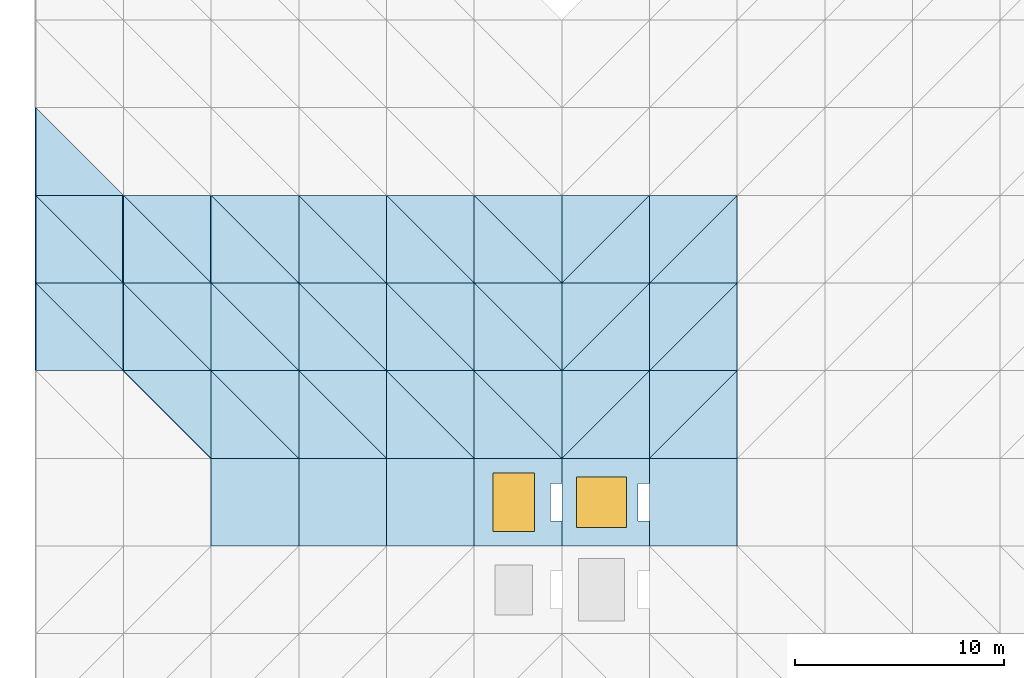
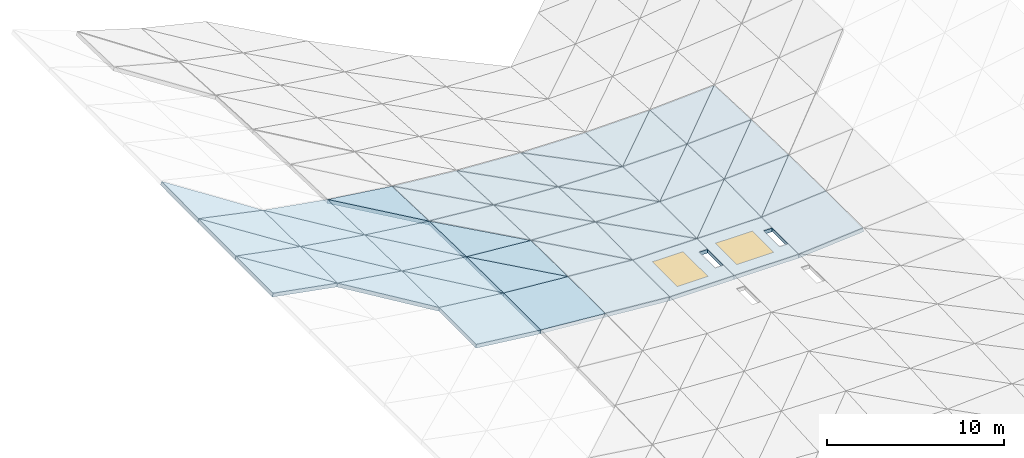
# One storey, part 8 of 31: 52 slabs, 2 windows, 2 openings.
"""IFC4 building model written with IfcOpenShell, lengths in metres."""

import ifcopenshell
import ifcopenshell.guid

model = None  # the IFC model being written
_history = None  # IfcOwnerHistory: only IFC2X3 demands one
_inside = {}  # id of a spatial element -> (the spatial element, [elements in it])
_under = {}  # id of a project, library or spatial element -> (it, [spatial elements below it])
_declared = {}  # id of a project -> (the project, [libraries it declares])
_typed = {}  # id of a type object -> (the type object, [elements of that type])
_made_of = {}  # id of a material, layer set ... -> (it, [elements and type objects made of it])


def new_model(schema):
    """Start an empty IFC model of exactly this schema.

    Asked for "IFC4X3", IfcOpenShell would pick the latest addendum, in which some entities
    have other attributes; the version numbers below select the first issue.
    IFC2X3 requires an IfcOwnerHistory on every rooted entity: one is made here for all.
    """
    global model, _history
    if schema == "IFC4X3":
        model = ifcopenshell.file(schema_version=(4, 3, 0, 0))
    else:
        model = ifcopenshell.file(schema=schema)
    _inside.clear()
    _under.clear()
    _declared.clear()
    _typed.clear()
    _made_of.clear()
    _history = None
    if model.schema == "IFC2X3":
        org = make("IfcOrganization", Name="unknown")
        user = make(
            "IfcPersonAndOrganization",
            ThePerson=make("IfcPerson", FamilyName="unknown"),
            TheOrganization=org,
        )
        app = make(
            "IfcApplication",
            ApplicationDeveloper=org,
            Version="unknown",
            ApplicationFullName="unknown",
            ApplicationIdentifier="unknown",
        )
        _history = make(
            "IfcOwnerHistory",
            OwningUser=user,
            OwningApplication=app,
            ChangeAction="ADDED",
            CreationDate=0,
        )
    return model


def make(cls, **values):
    """One entity of the class cls with the attributes given. An attribute that is None is left unset."""
    return model.create_entity(
        cls, **{name: value for name, value in values.items() if value is not None}
    )


def rooted(cls, **values):
    """An entity with a GlobalId (a new one), such as an element, a storey or a relation."""
    return make(cls, GlobalId=ifcopenshell.guid.new(), OwnerHistory=_history, **values)


def si_unit(unit_type, name, prefix=None):
    """IfcSIUnit, for example si_unit("LENGTHUNIT", "METRE", prefix="MILLI")."""
    return make("IfcSIUnit", UnitType=unit_type, Prefix=prefix, Name=name)


def assignment(units):
    """IfcUnitAssignment: the units of a project."""
    return None if units is None else make("IfcUnitAssignment", Units=units)


def point(xyz):
    """IfcCartesianPoint."""
    return None if xyz is None else make("IfcCartesianPoint", Coordinates=xyz)


def direction(xyz):
    """IfcDirection."""
    return None if xyz is None else make("IfcDirection", DirectionRatios=xyz)


def frame(location, z_axis=None, x_axis=None):
    """IfcAxis2Placement3D, a coordinate frame: its origin and axes. An axis left out is left unset."""
    return make(
        "IfcAxis2Placement3D",
        Location=point(location),
        Axis=direction(z_axis),
        RefDirection=direction(x_axis),
    )


def frame_2d(location, x_axis=None):
    """IfcAxis2Placement2D, a coordinate frame in the plane: its origin and x axis."""
    return make(
        "IfcAxis2Placement2D", Location=point(location), RefDirection=direction(x_axis)
    )


def origin():
    """The frame at (0, 0, 0) with its axes left unset."""
    return frame((0.0, 0.0, 0.0))


def origin_2d():
    """The frame at (0, 0) in the plane with its x axis left unset."""
    return frame_2d((0.0, 0.0))


def place(relative_to, where):
    """IfcLocalPlacement: puts the frame where relative to a parent placement (None: the world)."""
    return make(
        "IfcLocalPlacement", PlacementRelTo=relative_to, RelativePlacement=where
    )


def context(
    kind, dimensions, precision=None, world=None, true_north=None, identifier=None
):
    """IfcGeometricRepresentationContext, for example the 3D "Model" context."""
    return make(
        "IfcGeometricRepresentationContext",
        ContextIdentifier=identifier,
        ContextType=kind,
        CoordinateSpaceDimension=dimensions,
        Precision=precision,
        WorldCoordinateSystem=world,
        TrueNorth=true_north,
    )


def subcontext(parent, identifier, kind, view, scale=None):
    """IfcGeometricRepresentationSubContext, for example "Body" below "Model"."""
    return make(
        "IfcGeometricRepresentationSubContext",
        ContextIdentifier=identifier,
        ContextType=kind,
        ParentContext=parent,
        TargetScale=scale,
        TargetView=view,
    )


def project(units=None, contexts=None):
    """IfcProject with its units and contexts."""
    return rooted(
        "IfcProject",
        Name="project",
        RepresentationContexts=contexts,
        UnitsInContext=assignment(units),
    )


def spatial(cls, under=None, at=None, **own):
    """A site, building, storey or space (cls), placed at a placement, below another one or the project."""
    s = rooted(cls, ObjectPlacement=at, **own)
    if under is not None:
        _under.setdefault(under.id(), (under, []))[1].append(s)
    return s


def polyline(points):
    """IfcPolyline through the points."""
    return make("IfcPolyline", Points=[point(p) for p in points])


def profile(cls, at=None, kind="AREA", **sizes):
    """A parametric profile (cls). Its sizes go by their IFC names, for example OverallWidth=200.0."""
    return make(cls, ProfileType=kind, Position=at, **sizes)


def rectangle(**sizes):
    """IfcRectangleProfileDef."""
    return profile("IfcRectangleProfileDef", **sizes)


def outline(outer, holes=None, kind="AREA"):
    """IfcArbitraryClosedProfileDef: a profile drawn as a closed curve; with holes, ...WithVoids."""
    if holes is None:
        return make("IfcArbitraryClosedProfileDef", ProfileType=kind, OuterCurve=outer)
    return make(
        "IfcArbitraryProfileDefWithVoids",
        ProfileType=kind,
        OuterCurve=outer,
        InnerCurves=holes,
    )


def extrude(swept, where, along, depth):
    """IfcExtrudedAreaSolid: the profile swept, set in the frame where, extruded along a direction by depth."""
    return make(
        "IfcExtrudedAreaSolid",
        SweptArea=swept,
        Position=where,
        ExtrudedDirection=direction(along),
        Depth=depth,
    )


def shape(context_of_items, identifier, shape_type, items):
    """IfcShapeRepresentation: the items that make up one representation, for example the "Body"."""
    return make(
        "IfcShapeRepresentation",
        ContextOfItems=context_of_items,
        RepresentationIdentifier=identifier,
        RepresentationType=shape_type,
        Items=items,
    )


def material(Name=None, Category=None):
    """IfcMaterial."""
    return make("IfcMaterial", Name=Name, Category=Category)


def layer(
    of_material, thickness, ventilated=None, Name=None, Category=None, Priority=None
):
    """IfcMaterialLayer: one layer of a wall or slab, of a material (None: an air gap)."""
    return make(
        "IfcMaterialLayer",
        Material=of_material,
        LayerThickness=thickness,
        IsVentilated=ventilated,
        Name=Name,
        Category=Category,
        Priority=Priority,
    )


def layer_set(layers, Name=None):
    """IfcMaterialLayerSet."""
    return make("IfcMaterialLayerSet", MaterialLayers=layers, LayerSetName=Name)


def made_of(thing, what):
    """Note that an element or type object is made of a material, layer set ...; save() writes the relation."""
    if what is not None:
        _made_of.setdefault(what.id(), (what, []))[1].append(thing)
    return thing


def type_object(cls, material=None, **own):
    """A type object (cls), such as IfcWallType, which elements share."""
    return made_of(rooted(cls, **own), material)


def element(
    cls,
    number,
    at=None,
    inside=None,
    cuts=None,
    type_object=None,
    material=None,
    context=None,
    identifier="Body",
    shape_type=None,
    held_by="IfcProductDefinitionShape",
    body=None,
    shapes=None,
    **own,
):
    """One element of the class cls, such as IfcWall. Its Tag is "e" and its number.

    at: its placement. inside: the storey or other place that contains it. cuts: it is an
    opening in that element (IfcRelVoidsElement). A single representation is given by context,
    identifier, shape_type and body (its items); several are given by shapes. held_by: the class
    of the entity that holds the representations. save() writes the other relations.
    """
    e = rooted(cls, Tag="e%d" % number, ObjectPlacement=at, **own)
    if body is not None:
        shapes = [shape(context, identifier, shape_type, body)]
    if shapes is not None:
        e.Representation = make(held_by, Representations=shapes)
    if inside is not None:
        _inside.setdefault(inside.id(), (inside, []))[1].append(e)
    if cuts is not None:
        rooted(
            "IfcRelVoidsElement", RelatingBuildingElement=cuts, RelatedOpeningElement=e
        )
    if type_object is not None:
        _typed.setdefault(type_object.id(), (type_object, []))[1].append(e)
    return made_of(e, material)


def fill(opening, filler):
    """IfcRelFillsElement: the door or window that sits in an opening."""
    return rooted(
        "IfcRelFillsElement",
        RelatingOpeningElement=opening,
        RelatedBuildingElement=filler,
    )


def aggregate(whole, parts):
    """IfcRelAggregates: a whole, such as a stair, and the parts it consists of."""
    return rooted("IfcRelAggregates", RelatingObject=whole, RelatedObjects=parts)


def save(model, path):
    """Write the relations noted so far, then the file.

    IfcRelAggregates (storeys below a building ...), IfcRelContainedInSpatialStructure (elements
    in a storey), IfcRelDefinesByType, IfcRelAssociatesMaterial and IfcRelDeclares: one each for
    every whole, place, type object, material and project.
    """
    for whole, parts in _under.values():
        aggregate(whole, parts)
    for where, things in _inside.values():
        rooted(
            "IfcRelContainedInSpatialStructure",
            RelatedElements=things,
            RelatingStructure=where,
        )
    for kind, things in _typed.values():
        rooted("IfcRelDefinesByType", RelatedObjects=things, RelatingType=kind)
    for what, things in _made_of.values():
        rooted("IfcRelAssociatesMaterial", RelatedObjects=things, RelatingMaterial=what)
    for by, libraries in _declared.values():
        rooted("IfcRelDeclares", RelatingContext=by, RelatedDefinitions=libraries)
    model.write(path)


model = new_model("IFC4")

# Units and contexts
model_context = context("Model", 3, precision=1e-05, world=origin(), true_north=direction((0.0, 1.0)))
body_context = subcontext(model_context, "Body", "Model", "MODEL_VIEW")
ifc_project = project(units=[si_unit("LENGTHUNIT", "METRE"), si_unit("AREAUNIT", "SQUARE_METRE"), si_unit("VOLUMEUNIT", "CUBIC_METRE"), si_unit("PLANEANGLEUNIT", "RADIAN"), si_unit("MASSUNIT", "GRAM", prefix="KILO")], contexts=[model_context])

# Site, building, storey
site_placement = place(None, origin())
site = spatial("IfcSite", under=ifc_project, at=site_placement, CompositionType="ELEMENT")
building_placement = place(site_placement, origin())
building = spatial("IfcBuilding", under=site, at=building_placement, Name="Cumbredor Promenade Congress Hotel", CompositionType="ELEMENT")
storey_placement = place(building_placement, frame((0.0, 0.0, 31.919921875)))
storey = spatial("IfcBuildingStorey", under=building, at=storey_placement, Name="L09", CompositionType="ELEMENT", Elevation=31.919921875)

# Slabs
ifc_material_1 = material(Name="Concrete C40/50", Category="concrete")
ifc_layer = layer(ifc_material_1, 0.25, Name="Concrete C40/50", Category="concrete")
ifc_layer_set = layer_set([ifc_layer], Name="Concrete C40/50")
slab_type = type_object("IfcSlabType", Name="Catenary Space Frame Roof Deck 250mm", PredefinedType="ROOF", material=ifc_layer_set)
slab_1_placement = place(storey_placement, frame((8.39990234375, 42.0, 3.5341796875), z_axis=(0.180931042037, -0.004059036563, 0.983487408282), x_axis=(0.983495510242, 0.0, -0.180932532546)))
element("IfcSlab", 1, at=slab_1_placement, inside=storey, type_object=slab_type, Name="Plenary Congress Hall Sweeping Roof Deck Facet 4.11.1", PredefinedType="ROOF", context=body_context, shape_type="SweptSolid", body=[
    extrude(outline(polyline([(0.0, 0.0), (4.270680718680236, 4.336808689942018e-19), (-0.0031362816920767274, 4.199985771033712), (0.0, 0.0)])), origin(), (0.0, 0.0, -1.0), 0.25),
])
slab_2_placement = place(storey_placement, frame((12.60009765625, 42.0, 2.761474609375), z_axis=(0.191292954794, 0.006675388226, 0.981510287587), x_axis=(0.0, 0.999976873054, -0.006800982047)))
element("IfcSlab", 2, at=slab_2_placement, inside=storey, type_object=slab_type, Name="Plenary Congress Hall Sweeping Roof Deck Facet 4.11.2", PredefinedType="ROOF", context=body_context, shape_type="SweptSolid", body=[
    extrude(outline(polyline([(0.0, 0.0), (4.200048306164646, -8.673617379884035e-19), (4.1944809983516125, 4.279219716726906), (0.0, 0.0)])), origin(), (0.0, 0.0, -1.0), 0.25),
])
slab_3_placement = place(storey_placement, frame((8.39990234375, 46.199951171875, 3.551513671875), z_axis=(0.191293718543, -0.006047811769, 0.981514206326), x_axis=(0.981532156763, 0.0, -0.191297217021)))
element("IfcSlab", 3, at=slab_3_placement, inside=storey, type_object=slab_type, Name="Plenary Congress Hall Sweeping Roof Deck Facet 4.12.1", PredefinedType="ROOF", context=body_context, shape_type="SweptSolid", body=[
    extrude(outline(polyline([(0.0, 0.0), (4.279223338287052, 0.0), (-0.0049505627451685765, 4.200027982746232), (0.0, 0.0)])), origin(), (0.0, 0.0, -1.0), 0.25),
])
slab_4_placement = place(storey_placement, frame((12.60009765625, 46.199951171875, 2.73291015625), z_axis=(0.206713741995, 0.010009280174, 0.978350266102), x_axis=(0.0, 0.999947669743, -0.010230238323)))
element("IfcSlab", 4, at=slab_4_placement, inside=storey, type_object=slab_type, Name="Plenary Congress Hall Sweeping Roof Deck Facet 4.12.2", PredefinedType="ROOF", context=body_context, shape_type="SweptSolid", body=[
    extrude(outline(polyline([(0.0, 0.0), (4.2001709679024675, 0.0), (4.191092130913947, 4.292916004341131), (0.0, 0.0)])), origin(), (0.0, 0.0, -1.0), 0.25),
])
slab_5_placement = place(storey_placement, frame((8.39990234375, 50.39990234375, 3.577392578125), z_axis=(0.206717545712, -0.007961611114, 0.97836826862), x_axis=(0.978399278132, 0.0, -0.206724097652)))
element("IfcSlab", 5, at=slab_5_placement, inside=storey, type_object=slab_type, Name="Plenary Congress Hall Sweeping Roof Deck Facet 4.13.1", PredefinedType="ROOF", context=body_context, shape_type="SweptSolid", body=[
    extrude(outline(polyline([(0.0, 0.0), (4.292925604481084, 8.673617379884035e-19), (-0.007065765056476637, 4.2003284382472685), (0.0, 0.0)])), origin(), (0.0, 0.0, -1.0), 0.25),
])
slab_6_placement = place(storey_placement, frame((16.800048828125, 37.800048828125, 2.162353515625), z_axis=(0.148816611655, 0.007759846494, 0.988834364734), x_axis=(0.0, 0.999969210041, -0.007847226842)))
element("IfcSlab", 6, at=slab_6_placement, inside=storey, type_object=slab_type, Name="Plenary Congress Hall Sweeping Roof Deck Facet 5.10.2", PredefinedType="ROOF", context=body_context, shape_type="SweptSolid", body=[
    extrude(outline(polyline([(0.0, 0.0), (4.200080492179313, 0.0), (4.195120416424227, 4.247245044607763), (0.0, 0.0)])), origin(), (0.0, 0.0, -1.0), 0.25),
])
slab_7_placement = place(storey_placement, frame((12.60009765625, 42.0, 2.761474609375), z_axis=(0.148817726817, 0.00672525069, 0.988841774597), x_axis=(0.988864137516, 0.0, -0.148821092369)))
element("IfcSlab", 7, at=slab_7_placement, inside=storey, type_object=slab_type, Name="Plenary Congress Hall Sweeping Roof Deck Facet 5.11.1", PredefinedType="ROOF", context=body_context, shape_type="SweptSolid", body=[
    extrude(outline(polyline([(0.0, 0.0), (4.247247940878505, 0.0), (0.004250993116995516, 4.200046154886162), (0.0, 0.0)])), origin(), (0.0, 0.0, -1.0), 0.25),
])
slab_8_placement = place(storey_placement, frame((16.800048828125, 42.0, 2.12939453125), z_axis=(0.157496652803, 0.015611913106, 0.987396107206), x_axis=(0.0, 0.999875026476, -0.015809219741)))
element("IfcSlab", 8, at=slab_8_placement, inside=storey, type_object=slab_type, Name="Plenary Congress Hall Sweeping Roof Deck Facet 5.11.2", PredefinedType="ROOF", context=body_context, shape_type="SweptSolid", body=[
    extrude(outline(polyline([(0.0, 0.0), (4.2004761201765275, 0.0), (4.1898851780454605, 4.253031036411854), (0.0, 0.0)])), origin(), (0.0, 0.0, -1.0), 0.25),
])
slab_9_placement = place(storey_placement, frame((12.60009765625, 46.199951171875, 2.73291015625), z_axis=(0.157507811441, 0.010102541842, 0.987466064219), x_axis=(0.987516459137, 0.0, -0.157515849786)))
element("IfcSlab", 9, at=slab_9_placement, inside=storey, type_object=slab_type, Name="Plenary Congress Hall Sweeping Roof Deck Facet 5.12.1", PredefinedType="ROOF", context=body_context, shape_type="SweptSolid", body=[
    extrude(outline(polyline([(0.0, 0.0), (4.253044223228545, -8.673617379884035e-19), (0.006768259170499436, 4.200165514628983), (0.0, 0.0)])), origin(), (0.0, 0.0, -1.0), 0.25),
])
slab_10_placement = place(storey_placement, frame((16.800048828125, 46.199951171875, 2.06298828125), z_axis=(0.170303944809, 0.023249294416, 0.985117270528), x_axis=(0.0, 0.999721623662, -0.02359396496)))
element("IfcSlab", 10, at=slab_10_placement, inside=storey, type_object=slab_type, Name="Plenary Congress Hall Sweeping Roof Deck Facet 5.12.2", PredefinedType="ROOF", context=body_context, shape_type="SweptSolid", body=[
    extrude(outline(polyline([(0.0, 0.0), (4.201120664460899, 3.469446951953614e-18), (4.183989694785356, 4.262215403654018), (0.0, 0.0)])), origin(), (0.0, 0.0, -1.0), 0.25),
])
slab_11_placement = place(storey_placement, frame((16.800048828125, 33.60009765625, 2.162353515625), z_axis=(0.11285914596, 0.0, 0.993610996906), x_axis=(0.993610996906, 0.0, -0.11285914596)))
element("IfcSlab", 11, at=slab_11_placement, inside=storey, type_object=slab_type, Name="Plenary Congress Hall Sweeping Roof Deck Facet 6.9", PredefinedType="ROOF", context=body_context, shape_type="SweptSolid", body=[
    extrude(outline(polyline([(0.0, 0.0), (4.226957214596029, 0.0), (4.226957214596029, 4.199951171875), (0.0, 4.199951171875), (0.0, 0.0)])), origin(), (0.0, 0.0, -1.0), 0.25),
])
slab_12_placement = place(storey_placement, frame((16.800048828125, 37.800048828125, 2.162353515625), z_axis=(0.112855715291, 0.007797093943, 0.993580793319), x_axis=(0.993610996906, 0.0, -0.11285914596)))
element("IfcSlab", 12, at=slab_12_placement, inside=storey, type_object=slab_type, Name="Plenary Congress Hall Sweeping Roof Deck Facet 6.10.1", PredefinedType="ROOF", context=body_context, shape_type="SweptSolid", body=[
    extrude(outline(polyline([(0.0, 0.0), (4.226957214596029, 4.336808689942018e-19), (0.003719722828281088, 4.2000788450274715), (0.0, 0.0)])), origin(), (0.0, 0.0, -1.0), 0.25),
])
slab_13_placement = place(storey_placement, frame((21.0, 37.800048828125, 1.685302734375), z_axis=(0.116271091063, 0.011257627983, 0.99315371378), x_axis=(0.0, 0.999935762445, -0.011334504079)))
element("IfcSlab", 13, at=slab_13_placement, inside=storey, type_object=slab_type, Name="Plenary Congress Hall Sweeping Roof Deck Facet 6.10.2", PredefinedType="ROOF", context=body_context, shape_type="SweptSolid", body=[
    extrude(outline(polyline([(0.0, 0.0), (4.2002209837997535, 0.0), (4.194647816999025, 4.228631800909764), (0.0, 0.0)])), origin(), (0.0, 0.0, -1.0), 0.25),
])
slab_14_placement = place(storey_placement, frame((16.800048828125, 42.0, 2.12939453125), z_axis=(0.116264124238, 0.015702006848, 0.993094205197), x_axis=(0.993216653027, 0.0, -0.116278459524)))
element("IfcSlab", 14, at=slab_14_placement, inside=storey, type_object=slab_type, Name="Plenary Congress Hall Sweeping Roof Deck Facet 6.11.1", PredefinedType="ROOF", context=body_context, shape_type="SweptSolid", body=[
    extrude(outline(polyline([(0.0, 0.0), (4.228635473513123, 8.673617379884035e-19), (0.007721616452786887, 4.200469022955961), (0.0, 0.0)])), origin(), (0.0, 0.0, -1.0), 0.25),
])
slab_15_placement = place(storey_placement, frame((21.0, 42.0, 1.6376953125), z_axis=(0.12301648116, 0.022550137897, 0.992148394467), x_axis=(0.0, 0.999741805542, -0.022722725453)))
element("IfcSlab", 15, at=slab_15_placement, inside=storey, type_object=slab_type, Name="Plenary Congress Hall Sweeping Roof Deck Facet 6.11.2", PredefinedType="ROOF", context=body_context, shape_type="SweptSolid", body=[
    extrude(outline(polyline([(0.0, 0.0), (4.201035856051706, 1.734723475976807e-18), (4.189202952391767, 4.2320955122975015), (0.0, 0.0)])), origin(), (0.0, 0.0, -1.0), 0.25),
])
slab_16_placement = place(storey_placement, frame((16.800048828125, 46.199951171875, 2.06298828125), z_axis=(0.123014035395, 0.023414767168, 0.992128668961), x_axis=(0.992400748769, 0.0, -0.123047770571)))
element("IfcSlab", 16, at=slab_16_placement, inside=storey, type_object=slab_type, Name="Plenary Congress Hall Sweeping Roof Deck Facet 6.12.1", PredefinedType="ROOF", context=body_context, shape_type="SweptSolid", body=[
    extrude(outline(polyline([(0.0, 0.0), (4.232112054615011, 0.0), (0.012196629602449008, 4.201102959888836), (0.0, 0.0)])), origin(), (0.0, 0.0, -1.0), 0.25),
])
slab_17_placement = place(storey_placement, frame((21.0, 46.199951171875, 1.542236328125), z_axis=(0.133178350958, 0.033740818704, 0.990517583887), x_axis=(0.0, 0.999420332288, -0.034044080377)))
element("IfcSlab", 17, at=slab_17_placement, inside=storey, type_object=slab_type, Name="Plenary Congress Hall Sweeping Roof Deck Facet 6.12.2", PredefinedType="ROOF", context=body_context, shape_type="SweptSolid", body=[
    extrude(outline(polyline([(0.0, 0.0), (4.202387160023631, 0.0), (4.183162560924171, 4.237700232759274), (0.0, 0.0)])), origin(), (0.0, 0.0, -1.0), 0.25),
])
slab_18_placement = place(storey_placement, frame((21.0, 33.60009765625, 1.685302734375), z_axis=(0.080882763255, 0.0, 0.996723621978), x_axis=(0.996723621978, 0.0, -0.080882763255)))
element("IfcSlab", 18, at=slab_18_placement, inside=storey, type_object=slab_type, Name="Plenary Congress Hall Sweeping Roof Deck Facet 7.9", PredefinedType="ROOF", context=body_context, shape_type="SweptSolid", body=[
    extrude(outline(polyline([(0.0, 0.0), (4.213757032808938, 0.0), (4.213757032808938, 4.199951171875), (0.0, 4.199951171875), (0.0, 0.0)])), origin(), (0.0, 0.0, -1.0), 0.25),
])
slab_19_placement = place(storey_placement, frame((21.0, 37.800048828125, 1.685302734375), z_axis=(0.080877601532, 0.011297372707, 0.996660013716), x_axis=(0.996723621978, 0.0, -0.080882763255)))
element("IfcSlab", 19, at=slab_19_placement, inside=storey, type_object=slab_type, Name="Plenary Congress Hall Sweeping Roof Deck Facet 7.10.1", PredefinedType="ROOF", context=body_context, shape_type="SweptSolid", body=[
    extrude(outline(polyline([(0.0, 0.0), (4.213757032808938, 0.0), (0.003850619832710356, 4.200219218740692), (0.0, 0.0)])), origin(), (0.0, 0.0, -1.0), 0.25),
])
slab_20_placement = place(storey_placement, frame((25.199951171875, 37.800048828125, 1.344482421875), z_axis=(0.083349162812, 0.01378533756, 0.996425050632), x_axis=(0.0, 0.999904312942, -0.013833472446)))
element("IfcSlab", 20, at=slab_20_placement, inside=storey, type_object=slab_type, Name="Plenary Congress Hall Sweeping Roof Deck Facet 7.10.2", PredefinedType="ROOF", context=body_context, shape_type="SweptSolid", body=[
    extrude(outline(polyline([(0.0, 0.0), (4.200353091304688, 0.0), (4.1954931384606695, 4.214616330892586), (0.0, 0.0)])), origin(), (0.0, 0.0, -1.0), 0.25),
])
slab_21_placement = place(storey_placement, frame((21.0, 42.0, 1.6376953125), z_axis=(0.083335710744, 0.022643685129, 0.996264233443), x_axis=(0.99651974221, 0.0, -0.083357083592)))
element("IfcSlab", 21, at=slab_21_placement, inside=storey, type_object=slab_type, Name="Plenary Congress Hall Sweeping Roof Deck Facet 7.11.1", PredefinedType="ROOF", context=body_context, shape_type="SweptSolid", body=[
    extrude(outline(polyline([(0.0, 0.0), (4.214619132942873, 0.0), (0.007957182540195937, 4.201028320194727), (0.0, 0.0)])), origin(), (0.0, 0.0, -1.0), 0.25),
])
slab_22_placement = place(storey_placement, frame((25.199951171875, 42.0, 1.286376953125), z_axis=(0.088210108531, 0.027551188754, 0.995720798593), x_axis=(0.0, 0.999617416492, -0.027659006583)))
element("IfcSlab", 22, at=slab_22_placement, inside=storey, type_object=slab_type, Name="Plenary Congress Hall Sweeping Roof Deck Facet 7.11.2", PredefinedType="ROOF", context=body_context, shape_type="SweptSolid", body=[
    extrude(outline(polyline([(0.0, 0.0), (4.201558618909037, 1.734723475976807e-18), (4.191267523686196, 4.216387109473838), (0.0, 0.0)])), origin(), (0.0, 0.0, -1.0), 0.25),
])
slab_23_placement = place(storey_placement, frame((21.0, 46.199951171875, 1.542236328125), z_axis=(0.088192852342, 0.033911424851, 0.995526009736), x_axis=(0.996098923772, 0.0, -0.088243606338)))
element("IfcSlab", 23, at=slab_23_placement, inside=storey, type_object=slab_type, Name="Plenary Congress Hall Sweeping Roof Deck Facet 7.12.1", PredefinedType="ROOF", context=body_context, shape_type="SweptSolid", body=[
    extrude(outline(polyline([(0.0, 0.0), (4.216399668387478, 0.0), (0.012624695633288259, 4.2023681965995845), (0.0, 0.0)])), origin(), (0.0, 0.0, -1.0), 0.25),
])
slab_24_placement = place(storey_placement, frame((25.199951171875, 46.199951171875, 1.170166015625), z_axis=(0.095508545961, 0.041279117322, 0.994572346349), x_axis=(0.0, 0.999139804036, -0.041468686862)))
element("IfcSlab", 24, at=slab_24_placement, inside=storey, type_object=slab_type, Name="Plenary Congress Hall Sweeping Roof Deck Facet 7.12.2", PredefinedType="ROOF", context=body_context, shape_type="SweptSolid", body=[
    extrude(outline(polyline([(0.0, 0.0), (4.203567063295423, 3.469446951953614e-18), (4.186841899551393, 4.219238958569072), (0.0, 0.0)])), origin(), (0.0, 0.0, -1.0), 0.25),
])
slab_25_placement = place(storey_placement, frame((25.199951171875, 33.60009765625, 1.344482421875), z_axis=(0.080479824131, 0.0, 0.996756237958), x_axis=(0.996756237958, 0.0, -0.080479824131)))
element("IfcSlab", 25, at=slab_25_placement, inside=storey, type_object=slab_type, Name="Plenary Congress Hall Sweeping Roof Deck Facet 8.9", PredefinedType="ROOF", context=body_context, shape_type="SweptSolid", body=[
    extrude(outline(polyline([(0.0, 0.0), (4.213619149733028, 0.0), (4.213619149733028, 4.199951171875), (0.0, 4.199951171875), (0.0, 0.0)])), origin(), (0.0, 0.0, -1.0), 0.25),
])
slab_26_placement = place(storey_placement, frame((25.199951171875, 37.800048828125, 1.344482421875), z_axis=(0.080472173125, 0.013788608498, 0.996661478953), x_axis=(0.996756237958, 0.0, -0.080479824131)))
element("IfcSlab", 26, at=slab_26_placement, inside=storey, type_object=slab_type, Name="Plenary Congress Hall Sweeping Roof Deck Facet 8.10.1", PredefinedType="ROOF", context=body_context, shape_type="SweptSolid", body=[
    extrude(outline(polyline([(0.0, 0.0), (4.213619149733028, 0.0), (0.004676317906042037, 4.200350488195441), (0.0, 0.0)])), origin(), (0.0, 0.0, -1.0), 0.25),
])
slab_27_placement = place(storey_placement, frame((29.39990234375, 37.800048828125, 1.00537109375), z_axis=(0.050095662309, -0.016717903528, 0.998604494442), x_axis=(0.0, 0.999859894455, 0.016738920514)))
element("IfcSlab", 27, at=slab_27_placement, inside=storey, type_object=slab_type, Name="Plenary Congress Hall Sweeping Roof Deck Facet 8.10.2", PredefinedType="ROOF", context=body_context, shape_type="SweptSolid", body=[
    extrude(outline(polyline([(0.0, 0.0), (4.2005396907767025, -8.673617379884035e-19), (4.204066470172117, 4.2052311588836595), (0.0, 0.0)])), origin(), (0.0, 0.0, -1.0), 0.25),
])
slab_28_placement = place(storey_placement, frame((25.199951171875, 42.0, 1.286376953125), z_axis=(0.05008354399, 0.027624295411, 0.998362928461), x_axis=(0.998744072836, 0.0, -0.050102664353)))
element("IfcSlab", 28, at=slab_28_placement, inside=storey, type_object=slab_type, Name="Plenary Congress Hall Sweeping Roof Deck Facet 8.11.1", PredefinedType="ROOF", context=body_context, shape_type="SweptSolid", body=[
    extrude(outline(polyline([(0.0, 0.0), (4.205232637776287, -8.673617379884035e-19), (0.005822477595660602, 4.201554584541709), (0.0, 0.0)])), origin(), (0.0, 0.0, -1.0), 0.25),
])
slab_29_placement = place(storey_placement, frame((29.39990234375, 42.0, 1.07568359375), z_axis=(0.053088392757, 0.030634613525, 0.998119803936), x_axis=(0.0, 0.999529323226, -0.030677874944)))
element("IfcSlab", 29, at=slab_29_placement, inside=storey, type_object=slab_type, Name="Plenary Congress Hall Sweeping Roof Deck Facet 8.11.2", PredefinedType="ROOF", context=body_context, shape_type="SweptSolid", body=[
    extrude(outline(polyline([(0.0, 0.0), (4.201928922224083, 0.0), (4.195075832484373, 4.2058822356334815), (0.0, 0.0)])), origin(), (0.0, 0.0, -1.0), 0.25),
])
slab_30_placement = place(storey_placement, frame((25.199951171875, 46.199951171875, 1.170166015625), z_axis=(0.053067762346, 0.041410253896, 0.997731929664), x_axis=(0.998588491362, 0.0, -0.05311332149)))
element("IfcSlab", 30, at=slab_30_placement, inside=storey, type_object=slab_type, Name="Plenary Congress Hall Sweeping Roof Deck Facet 8.12.1", PredefinedType="ROOF", context=body_context, shape_type="SweptSolid", body=[
    extrude(outline(polyline([(0.0, 0.0), (4.205887818862536, 0.0), (0.009258523326174137, 4.203556867150476), (0.0, 0.0)])), origin(), (0.0, 0.0, -1.0), 0.25),
])
slab_31_placement = place(storey_placement, frame((29.39990234375, 46.199951171875, 0.94677734375), z_axis=(0.057508168834, 0.045855808012, 0.997291359327), x_axis=(0.0, 0.998944576834, -0.045931823535)))
element("IfcSlab", 31, at=slab_31_placement, inside=storey, type_object=slab_type, Name="Plenary Congress Hall Sweeping Roof Deck Facet 8.12.2", PredefinedType="ROOF", context=body_context, shape_type="SweptSolid", body=[
    extrude(outline(polyline([(0.0, 0.0), (4.204388580980818, 0.0), (4.193264467468388, 4.20691346302595), (0.0, 0.0)])), origin(), (0.0, 0.0, -1.0), 0.25),
])

# Slab, opening, window
slab_32_placement = place(storey_placement, frame((0.0, 0.0, 0.75537109375)))
slab_32 = element("IfcSlab", 32, at=slab_32_placement, inside=storey, type_object=slab_type, Name="Plenary Congress Hall Saddle Skylight Roof Slab 9.9", PredefinedType="ROOF", context=body_context, shape_type="SweptSolid", body=[
    extrude(outline(polyline([(29.39990234375, 33.60009765625), (33.60009765625, 33.60009765625), (33.60009765625, 34.800048828125), (33.050048828125, 34.800048828125), (33.050048828125, 36.60009765625), (33.60009765625, 36.60009765625), (33.60009765625, 37.800048828125), (29.39990234375, 37.800048828125), (29.39990234375, 33.60009765625)])), origin(), (0.0, 0.0, 1.0), 0.25),
])
opening_1_placement = place(slab_32_placement, frame((31.2900390625, 35.699951171875, -0.010009765625)))
opening_1 = element("IfcOpeningElement", 33, at=opening_1_placement, cuts=slab_32, Name="Opening SKY-02", PredefinedType="OPENING", context=body_context, shape_type="SweptSolid", body=[
    extrude(rectangle(XDim=2.0, YDim=2.800048828125, at=origin_2d()), origin(), (0.0, 0.0, 1.0), 0.27001953125),
])
ifc_material_2 = material(Name="Laminated low-E solar-control glass", Category="glass")
window_type_1 = type_object("IfcWindowType", Name="Laminated Roof Skylight SKY-02 2000x2800", PartitioningType="SINGLE_PANEL", PredefinedType="SKYLIGHT", material=ifc_material_2)
window_1_placement = place(opening_1_placement, frame((0.0, 0.0, 0.2099609375)))
window_1 = element("IfcWindow", 34, at=window_1_placement, inside=storey, type_object=window_type_1, Name="L09 Saddle Roof Skylight 02", OverallHeight=2.800048828125, OverallWidth=2.0, PartitioningType="SINGLE_PANEL", PredefinedType="SKYLIGHT", context=body_context, shape_type="SweptSolid", body=[
    extrude(rectangle(XDim=2.0, YDim=2.800048828125, at=origin_2d()), origin(), (0.0, 0.0, 1.0), 0.050048828125),
])
fill(opening_1, window_1)

# Slabs
slab_33_placement = place(storey_placement, frame((29.39990234375, 37.800048828125, 1.00537109375), z_axis=(0.0, -0.016738920514, 0.999859894455), x_axis=(1.0, 0.0, 0.0)))
element("IfcSlab", 35, at=slab_33_placement, inside=storey, type_object=slab_type, Name="Plenary Congress Hall Sweeping Roof Deck Facet 9.10.1", PredefinedType="ROOF", context=body_context, shape_type="SweptSolid", body=[
    extrude(outline(polyline([(0.0, 0.0), (4.2001953125, 0.0), (0.0, 4.2005396907767025), (0.0, 0.0)])), origin(), (0.0, 0.0, -1.0), 0.25),
])
slab_34_placement = place(storey_placement, frame((33.60009765625, 37.800048828125, 1.00537109375), z_axis=(0.01673794782, 0.0, 0.999859910739), x_axis=(0.0, 1.0, 0.0)))
element("IfcSlab", 36, at=slab_34_placement, inside=storey, type_object=slab_type, Name="Plenary Congress Hall Sweeping Roof Deck Facet 9.10.2", PredefinedType="ROOF", context=body_context, shape_type="SweptSolid", body=[
    extrude(outline(polyline([(0.0, 0.0), (4.199951171875, 0.0), (4.199951171875, 4.200783797198235), (0.0, 0.0)])), origin(), (0.0, 0.0, -1.0), 0.25),
])
slab_35_placement = place(storey_placement, frame((29.39990234375, 42.0, 1.07568359375), z_axis=(0.016730071862, 0.030673581347, 0.999389431655), x_axis=(0.999859910739, 0.0, -0.01673794782)))
element("IfcSlab", 37, at=slab_35_placement, inside=storey, type_object=slab_type, Name="Plenary Congress Hall Sweeping Roof Deck Facet 9.11.1", PredefinedType="ROOF", context=body_context, shape_type="SweptSolid", body=[
    extrude(outline(polyline([(0.0, 0.0), (4.200783797198235, 0.0), (0.002157626086153294, 4.201928368270088), (0.0, 0.0)])), origin(), (0.0, 0.0, -1.0), 0.25),
])
slab_36_placement = place(storey_placement, frame((33.60009765625, 42.0, 1.00537109375), z_axis=(0.017658727001, 0.031601664145, 0.999344537276), x_axis=(0.0, 0.999500386849, -0.031606592481)))
element("IfcSlab", 38, at=slab_36_placement, inside=storey, type_object=slab_type, Name="Plenary Congress Hall Sweeping Roof Deck Facet 9.11.2", PredefinedType="ROOF", context=body_context, shape_type="SweptSolid", body=[
    extrude(outline(polyline([(0.0, 0.0), (4.20205057160078, 4.336808689942018e-19), (4.1997047698151, 4.2008503404920905), (0.0, 0.0)])), origin(), (0.0, 0.0, -1.0), 0.25),
])
slab_37_placement = place(storey_placement, frame((29.39990234375, 46.199951171875, 0.94677734375), z_axis=(0.017648910258, 0.045924669463, 0.998788987075), x_axis=(0.999843916636, 0.0, -0.017667551189)))
element("IfcSlab", 39, at=slab_37_placement, inside=storey, type_object=slab_type, Name="Plenary Congress Hall Sweeping Roof Deck Facet 9.12.1", PredefinedType="ROOF", context=body_context, shape_type="SweptSolid", body=[
    extrude(outline(polyline([(0.0, 0.0), (4.200850995453009, 4.336808689942018e-19), (0.00341187328871776, 4.2043871966081525), (0.0, 0.0)])), origin(), (0.0, 0.0, -1.0), 0.25),
])
slab_38_placement = place(storey_placement, frame((33.60009765625, 46.199951171875, 0.87255859375), z_axis=(0.019156474623, 0.047429544063, 0.998690877013), x_axis=(0.0, 0.998874172518, -0.047438249081)))
element("IfcSlab", 40, at=slab_38_placement, inside=storey, type_object=slab_type, Name="Plenary Congress Hall Sweeping Roof Deck Facet 9.12.2", PredefinedType="ROOF", context=body_context, shape_type="SweptSolid", body=[
    extrude(outline(polyline([(0.0, 0.0), (4.204684921711812, -4.336808689942018e-19), (4.200862992464531, 4.200966198604774), (0.0, 0.0)])), origin(), (0.0, 0.0, -1.0), 0.25),
])

# Slab, opening, window
slab_39_placement = place(storey_placement, frame((0.0, 0.0, 0.75537109375)))
slab_39 = element("IfcSlab", 41, at=slab_39_placement, inside=storey, type_object=slab_type, Name="Plenary Congress Hall Saddle Skylight Roof Slab 10.9", PredefinedType="ROOF", context=body_context, shape_type="SweptSolid", body=[
    extrude(outline(polyline([(33.60009765625, 33.60009765625), (37.800048828125, 33.60009765625), (37.800048828125, 34.800048828125), (37.25, 34.800048828125), (37.25, 36.60009765625), (37.800048828125, 36.60009765625), (37.800048828125, 37.800048828125), (33.60009765625, 37.800048828125), (33.60009765625, 33.60009765625)])), origin(), (0.0, 0.0, 1.0), 0.25),
])
opening_2_placement = place(slab_39_placement, frame((35.489990234375, 35.699951171875, -0.010009765625)))
opening_2 = element("IfcOpeningElement", 42, at=opening_2_placement, cuts=slab_39, Name="Opening SKY-04", PredefinedType="OPENING", context=body_context, shape_type="SweptSolid", body=[
    extrude(rectangle(XDim=2.39990234375, YDim=2.39990234375, at=origin_2d()), origin(), (0.0, 0.0, 1.0), 0.27001953125),
])
window_type_2 = type_object("IfcWindowType", Name="Laminated Roof Skylight SKY-04 2400x2400", PartitioningType="SINGLE_PANEL", PredefinedType="SKYLIGHT", material=ifc_material_2)
window_2_placement = place(opening_2_placement, frame((0.0, 0.0, 0.2099609375)))
window_2 = element("IfcWindow", 43, at=window_2_placement, inside=storey, type_object=window_type_2, Name="L09 Saddle Roof Skylight 04", OverallHeight=2.39990234375, OverallWidth=2.39990234375, PartitioningType="SINGLE_PANEL", PredefinedType="SKYLIGHT", context=body_context, shape_type="SweptSolid", body=[
    extrude(rectangle(XDim=2.39990234375, YDim=2.39990234375, at=origin_2d()), origin(), (0.0, 0.0, 1.0), 0.050048828125),
])
fill(opening_2, window_2)

# Slabs
slab_40_placement = place(storey_placement, frame((33.60009765625, 37.800048828125, 1.00537109375), z_axis=(0.0, -0.016738920514, 0.999859894455), x_axis=(1.0, 0.0, 0.0)))
element("IfcSlab", 44, at=slab_40_placement, inside=storey, type_object=slab_type, Name="Plenary Congress Hall Sweeping Roof Deck Facet 10.10.1", PredefinedType="ROOF", context=body_context, shape_type="SweptSolid", body=[
    extrude(outline(polyline([(0.0, 0.0), (4.199951171875, 0.0), (4.199951171875, 4.2005396907767025), (0.0, 0.0)])), origin(), (0.0, 0.0, -1.0), 0.25),
])
slab_41_placement = place(storey_placement, frame((33.60009765625, 37.800048828125, 1.00537109375), z_axis=(-0.016738920514, 0.0, 0.999859894455), x_axis=(0.707057241191, 0.707057241191, 0.011837033393)))
element("IfcSlab", 45, at=slab_41_placement, inside=storey, type_object=slab_type, Name="Plenary Congress Hall Sweeping Roof Deck Facet 10.10.2", PredefinedType="ROOF", context=body_context, shape_type="SweptSolid", body=[
    extrude(outline(polyline([(0.0, 0.0), (5.9400440688537515, 2.5999168096202396e-16), (2.9696058887216465, 2.970022005272673), (0.0, 0.0)])), origin(), (0.0, 0.0, -1.0), 0.25),
])
slab_42_placement = place(storey_placement, frame((33.60009765625, 42.0, 1.00537109375), z_axis=(-0.016731044099, 0.030673580848, 0.999389415394), x_axis=(0.999859894455, 0.0, 0.016738920514)))
element("IfcSlab", 46, at=slab_42_placement, inside=storey, type_object=slab_type, Name="Plenary Congress Hall Sweeping Roof Deck Facet 10.11.1", PredefinedType="ROOF", context=body_context, shape_type="SweptSolid", body=[
    extrude(outline(polyline([(0.0, 0.0), (4.2005396907767025, 4.336808689942018e-19), (4.198381939304189, 4.201928368205701), (0.0, 0.0)])), origin(), (0.0, 0.0, -1.0), 0.25),
])
slab_43_placement = place(storey_placement, frame((33.60009765625, 42.0, 1.00537109375), z_axis=(-0.017659753172, 0.031601663572, 0.999344519161), x_axis=(0.707072377307, 0.707072377307, -0.009864405659)))
element("IfcSlab", 47, at=slab_43_placement, inside=storey, type_object=slab_type, Name="Plenary Congress Hall Sweeping Roof Deck Facet 10.11.2", PredefinedType="ROOF", context=body_context, shape_type="SweptSolid", body=[
    extrude(outline(polyline([(0.0, 0.0), (5.939916911860588, -1.209969624493823e-16), (2.9709795760473505, 2.971617297869957), (0.0, 0.0)])), origin(), (0.0, 0.0, -1.0), 0.25),
])
slab_44_placement = place(storey_placement, frame((33.60009765625, 46.199951171875, 0.87255859375), z_axis=(-0.017649935858, 0.045924668632, 0.99878896899), x_axis=(0.999843898494, 0.0, 0.017668577873)))
element("IfcSlab", 48, at=slab_44_placement, inside=storey, type_object=slab_type, Name="Plenary Congress Hall Sweeping Roof Deck Facet 10.12.1", PredefinedType="ROOF", context=body_context, shape_type="SweptSolid", body=[
    extrude(outline(polyline([(0.0, 0.0), (4.200606892936514, 4.336808689942018e-19), (4.197194821379575, 4.204387196447252), (0.0, 0.0)])), origin(), (0.0, 0.0, -1.0), 0.25),
])
slab_45_placement = place(storey_placement, frame((33.60009765625, 46.199951171875, 0.87255859375), z_axis=(-0.019157587769, 0.047429543051, 0.998690855709), x_axis=(0.706965154837, 0.706965154837, -0.020013487787)))
element("IfcSlab", 49, at=slab_45_placement, inside=storey, type_object=slab_type, Name="Plenary Congress Hall Sweeping Roof Deck Facet 10.12.2", PredefinedType="ROOF", context=body_context, shape_type="SweptSolid", body=[
    extrude(outline(polyline([(0.0, 0.0), (5.9408177944004565, -4.597017211338539e-17), (2.97321107865678, 2.9731113622976273), (0.0, 0.0)])), origin(), (0.0, 0.0, -1.0), 0.25),
])
slab_46_placement = place(storey_placement, frame((37.800048828125, 33.60009765625, 1.00537109375), z_axis=(-0.080479824131, 0.0, 0.996756237958), x_axis=(0.996756237958, 0.0, 0.080479824131)))
element("IfcSlab", 50, at=slab_46_placement, inside=storey, type_object=slab_type, Name="Plenary Congress Hall Sweeping Roof Deck Facet 11.9", PredefinedType="ROOF", context=body_context, shape_type="SweptSolid", body=[
    extrude(outline(polyline([(0.0, 0.0), (4.213619149733028, 0.0), (4.213619149733028, 4.199951171875), (0.0, 4.199951171875), (0.0, 0.0)])), origin(), (0.0, 0.0, -1.0), 0.25),
])
slab_47_placement = place(storey_placement, frame((37.800048828125, 37.800048828125, 1.00537109375), z_axis=(-0.080472173125, 0.013788608498, 0.996661478953), x_axis=(0.996756237958, 0.0, 0.080479824131)))
element("IfcSlab", 51, at=slab_47_placement, inside=storey, type_object=slab_type, Name="Plenary Congress Hall Sweeping Roof Deck Facet 11.10.1", PredefinedType="ROOF", context=body_context, shape_type="SweptSolid", body=[
    extrude(outline(polyline([(0.0, 0.0), (4.213619149733028, 0.0), (4.208942831826986, 4.200350488195441), (0.0, 0.0)])), origin(), (0.0, 0.0, -1.0), 0.25),
])
slab_48_placement = place(storey_placement, frame((37.800048828125, 37.800048828125, 1.00537109375), z_axis=(-0.050095662309, -0.016717903528, 0.998604494442), x_axis=(0.706316759569, 0.706316759569, 0.047257489407)))
element("IfcSlab", 52, at=slab_48_placement, inside=storey, type_object=slab_type, Name="Plenary Congress Hall Sweeping Roof Deck Facet 11.10.2", PredefinedType="ROOF", context=body_context, shape_type="SweptSolid", body=[
    extrude(outline(polyline([(0.0, 0.0), (5.946271435552826, -2.203098814490545e-16), (2.969818694289004, 2.9706414487181036), (0.0, 0.0)])), origin(), (0.0, 0.0, -1.0), 0.25),
])
slab_49_placement = place(storey_placement, frame((37.800048828125, 42.0, 1.07568359375), z_axis=(-0.05008354399, 0.027624295411, 0.998362928461), x_axis=(0.998744072836, 0.0, 0.050102664353)))
element("IfcSlab", 53, at=slab_49_placement, inside=storey, type_object=slab_type, Name="Plenary Congress Hall Sweeping Roof Deck Facet 11.11.1", PredefinedType="ROOF", context=body_context, shape_type="SweptSolid", body=[
    extrude(outline(polyline([(0.0, 0.0), (4.205232637776287, 8.673617379884035e-19), (4.199410160180626, 4.20155458454171), (0.0, 0.0)])), origin(), (0.0, 0.0, -1.0), 0.25),
])
slab_50_placement = place(storey_placement, frame((37.800048828125, 42.0, 1.07568359375), z_axis=(-0.053088392757, 0.030634613525, 0.998119803936), x_axis=(0.707017336169, 0.707017336169, 0.015905115916)))
element("IfcSlab", 54, at=slab_50_placement, inside=storey, type_object=slab_type, Name="Plenary Congress Hall Sweeping Roof Deck Facet 11.11.2", PredefinedType="ROOF", context=body_context, shape_type="SweptSolid", body=[
    extrude(outline(polyline([(0.0, 0.0), (5.940379333031834, 5.811323644522304e-17), (2.9673880207314527, 2.9750319329114308), (0.0, 0.0)])), origin(), (0.0, 0.0, -1.0), 0.25),
])
slab_51_placement = place(storey_placement, frame((37.800048828125, 46.199951171875, 0.94677734375), z_axis=(-0.053067762346, 0.041410253896, 0.997731929664), x_axis=(0.998588491362, 0.0, 0.05311332149)))
element("IfcSlab", 55, at=slab_51_placement, inside=storey, type_object=slab_type, Name="Plenary Congress Hall Sweeping Roof Deck Facet 11.12.1", PredefinedType="ROOF", context=body_context, shape_type="SweptSolid", body=[
    extrude(outline(polyline([(0.0, 0.0), (4.205887818862536, 0.0), (4.196629295536362, 4.203556867150476), (0.0, 0.0)])), origin(), (0.0, 0.0, -1.0), 0.25),
])
slab_52_placement = place(storey_placement, frame((37.800048828125, 46.199951171875, 0.94677734375), z_axis=(-0.057508168834, 0.045855808012, 0.997291359327), x_axis=(0.707082649565, 0.707082649565, 0.008261559761)))
element("IfcSlab", 56, at=slab_52_placement, inside=storey, type_object=slab_type, Name="Plenary Congress Hall Sweeping Roof Deck Facet 11.12.2", PredefinedType="ROOF", context=body_context, shape_type="SweptSolid", body=[
    extrude(outline(polyline([(0.0, 0.0), (5.939830618756897, 4.440892098500626e-16), (2.9681171696014417, 2.977778334161061), (0.0, 0.0)])), origin(), (0.0, 0.0, -1.0), 0.25),
])

save(model, "model.ifc")
